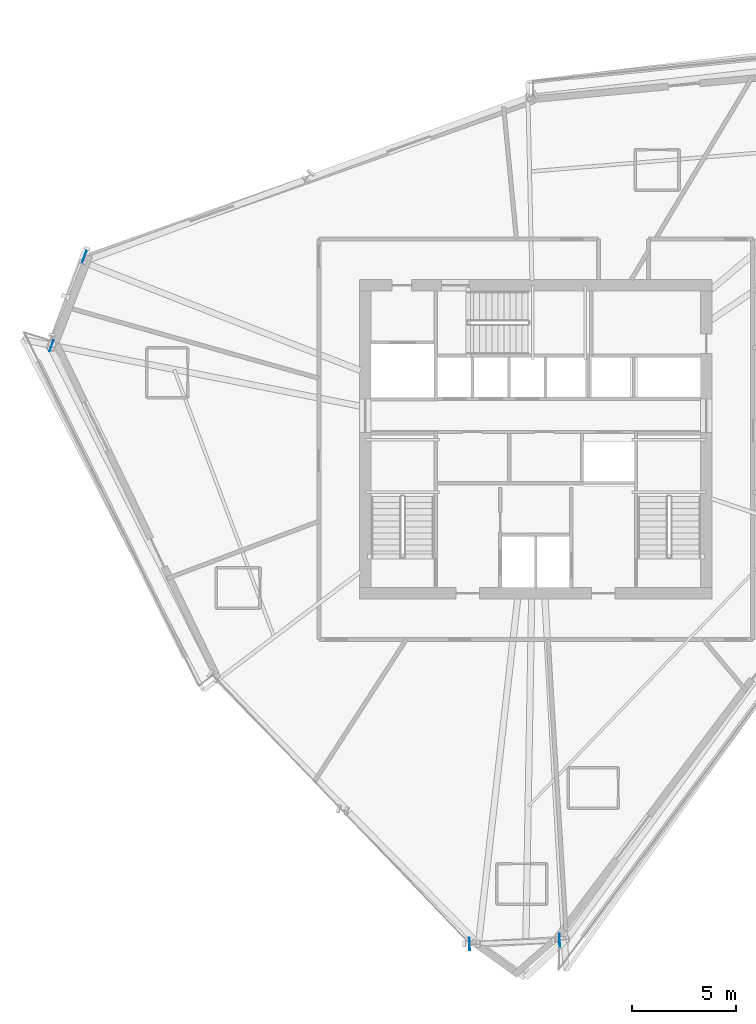
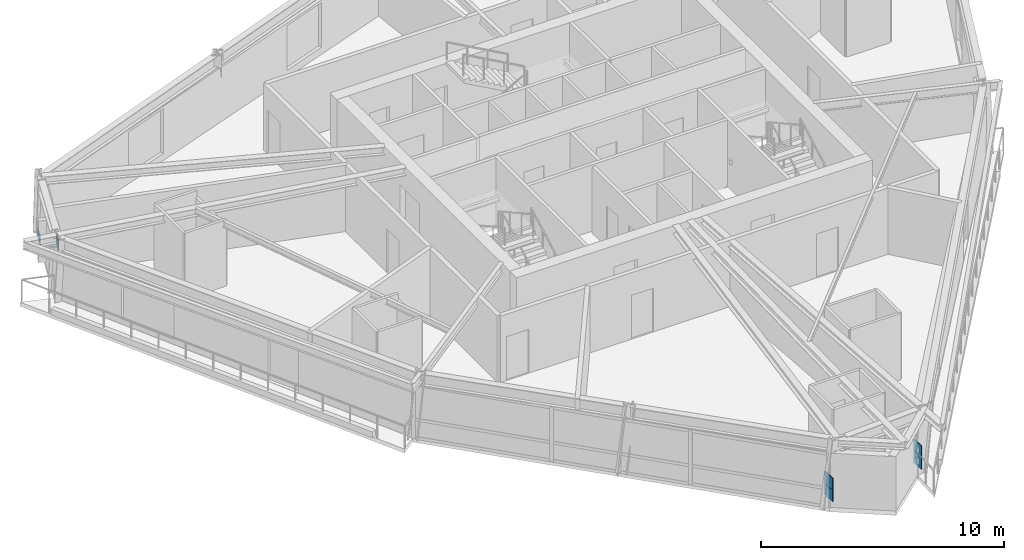
# One storey, part 6 of 14: 6 plates.
"""IFC4 building model written with IfcOpenShell, lengths in metres."""

from ifc_helpers import new_model, si_unit, direction, frame, origin, origin_2d, place, context, subcontext, project, spatial, rectangle, extrude, source, transform, mapped, material, type_object, element, save


model = new_model("IFC4")

# Units and contexts
model_context = context("Model", 3, precision=1e-05, world=origin(), true_north=direction((0.0, 1.0)))
body_context = subcontext(model_context, "Body", "Model", "MODEL_VIEW")
ifc_project = project(units=[si_unit("LENGTHUNIT", "METRE"), si_unit("AREAUNIT", "SQUARE_METRE"), si_unit("VOLUMEUNIT", "CUBIC_METRE"), si_unit("PLANEANGLEUNIT", "RADIAN"), si_unit("MASSUNIT", "GRAM", prefix="KILO")], contexts=[model_context])

# Site, building, storey
site_placement = place(None, origin())
site = spatial("IfcSite", under=ifc_project, at=site_placement, CompositionType="ELEMENT")
building_placement = place(site_placement, origin())
building = spatial("IfcBuilding", under=site, at=building_placement, Name="Olszyna Solenne Hotel", CompositionType="ELEMENT")
storey_placement = place(building_placement, frame((0.0, 0.0, 182.10009765625)))
storey = spatial("IfcBuildingStorey", under=building, at=storey_placement, Name="L48", CompositionType="ELEMENT", Elevation=182.10009765625)

# Plates
ifc_material_1 = material(Name="Steel S460M", Category="steel")
plate_type_1 = type_object("IfcPlateType", Name="GP-CAP2", PredefinedType="USERDEFINED", material=ifc_material_1)
shared_shape_1 = source(origin(), body_context, "Body", "SweptSolid", [
    extrude(rectangle(XDim=0.030029296875, YDim=0.6201171875, at=origin_2d()), origin(), (0.0, 0.0, 1.0), 0.6201171875),
])
for number, where, z_axis, x_axis, name in (
    (1, (34.822509765625, 2.404541015625, 1.039794921875), (0.0, 0.0, 1.0), (0.999194395114, 0.040131792533, 0.0), "Hollow section end-cap plate GP-CAP2 CP-PR-M-L48-PR1-1"),
    (2, (39.14013671875, 2.577880859375, 1.039794921875), (0.0, 0.0, 1.0), (0.999194395114, 0.040131792533, 0.0), "Hollow section end-cap plate GP-CAP2 CP-PR-M-L48-PR1-2"),
    (3, (34.822509765625, 2.404541015625, 0.4697265625), (0.0, 0.0, 1.0), (0.999194395114, 0.040131792533, 0.0), "Hollow section end-cap plate GP-CAP2 CP-PR-M-L48-PR2-1"),
    (4, (39.14013671875, 2.577880859375, 0.4697265625), (0.0, 0.0, 1.0), (0.999194395114, 0.040131792533, 0.0), "Hollow section end-cap plate GP-CAP2 CP-PR-M-L48-PR2-2"),
):
    element("IfcPlate", number, at=place(storey_placement, frame(where, z_axis=z_axis, x_axis=x_axis)), inside=storey, type_object=plate_type_1, Name=name, ObjectType="GUSSET_PLATE", PredefinedType="USERDEFINED", context=body_context, shape_type="MappedRepresentation", body=[
        mapped(shared_shape_1, transform((0.0, 0.0, 0.0), x_axis=(1.0, 0.0, 0.0), y_axis=(0.0, 1.0, 0.0), z_axis=(0.0, 0.0, 1.0), scale=1.0)),
    ])
ifc_material_2 = material(Name="Steel S355J2", Category="steel")
plate_type_2 = type_object("IfcPlateType", Name="GP-ND2", PredefinedType="USERDEFINED", material=ifc_material_2)
shared_shape_2 = source(origin(), body_context, "Body", "SweptSolid", [
    extrude(rectangle(XDim=0.56005859375, YDim=0.02001953125, at=origin_2d()), origin(), (0.0, 0.0, 1.0), 0.47998046875),
])
for number, where, z_axis, x_axis, name in (
    (5, (16.3583984375, 35.36083984375, -0.156005859375), (0.0, 0.0, 1.0), (-0.34562577382, -0.938372433776, 0.0), "Brace end connection gusset plate GP-ND2 EP-BR-L48-2-1"),
    (6, (14.784912109375, 31.089111328125, 2.685791015625), (0.0, 0.0, 1.0), (-0.34562577382, -0.938372433776, 0.0), "Brace end connection gusset plate GP-ND2 EP-BR-L48-2-2"),
):
    element("IfcPlate", number, at=place(storey_placement, frame(where, z_axis=z_axis, x_axis=x_axis)), inside=storey, type_object=plate_type_2, Name=name, ObjectType="GUSSET_PLATE", PredefinedType="USERDEFINED", context=body_context, shape_type="MappedRepresentation", body=[
        mapped(shared_shape_2, transform((0.0, 0.0, 0.0), x_axis=(1.0, 0.0, 0.0), y_axis=(0.0, 1.0, 0.0), z_axis=(0.0, 0.0, 1.0), scale=1.0)),
    ])

save(model, "model.ifc")
